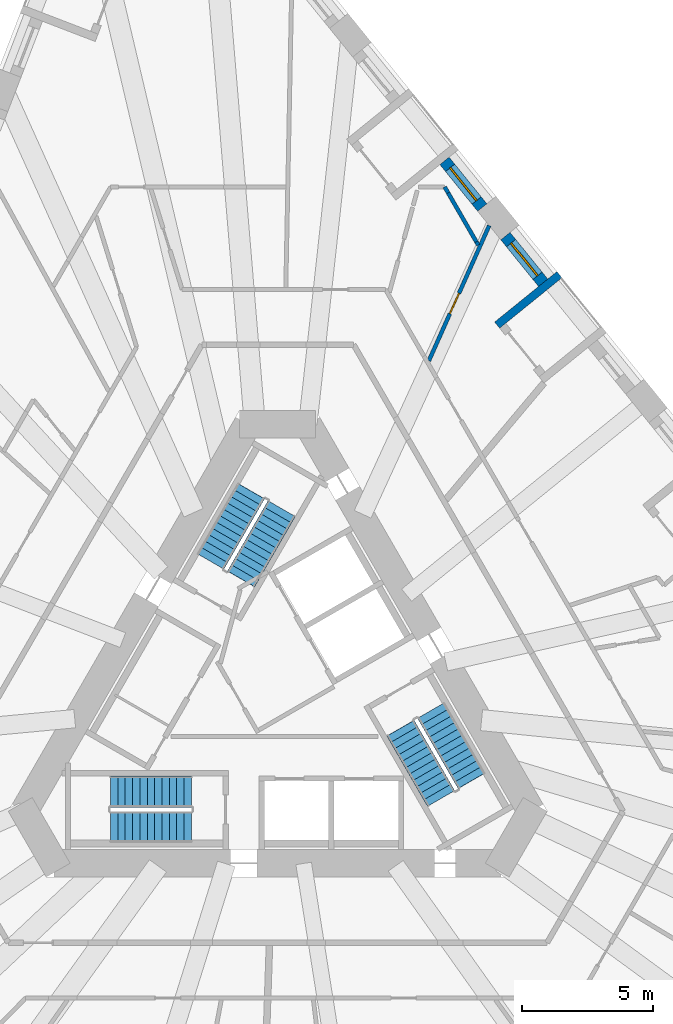
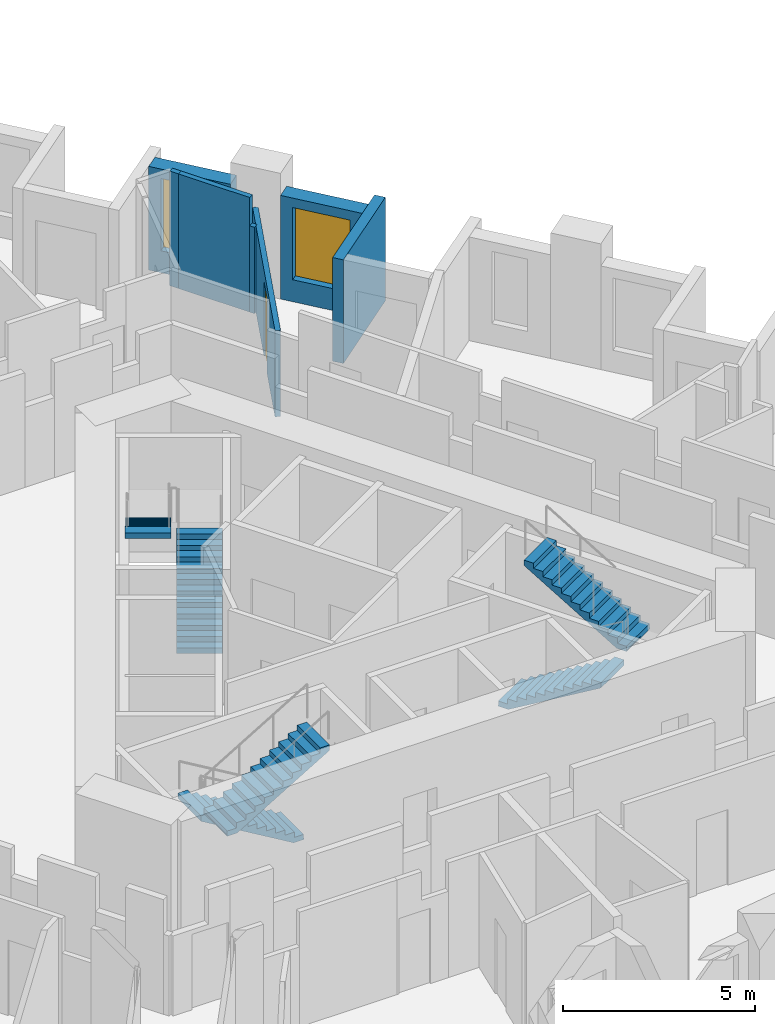
# One storey, part 10 of 14: 7 walls, 6 stair flights, 2 windows, 1 door, 3 openings, 3 elements without a shape of their own.
"""IFC4 building model written with IfcOpenShell, lengths in metres."""

from ifc_helpers import new_model, si_unit, direction, frame, frame_2d, origin, place, context, subcontext, project, spatial, polyline, rectangle, outline, extrude, material, layer, layer_set, type_object, element, fill, aggregate, save


model = new_model("IFC4")

# Units and contexts
model_context = context("Model", 3, precision=1e-05, world=origin(), true_north=direction((0.0, 1.0)))
body_context = subcontext(model_context, "Body", "Model", "MODEL_VIEW")
ifc_project = project(units=[si_unit("LENGTHUNIT", "METRE"), si_unit("AREAUNIT", "SQUARE_METRE"), si_unit("VOLUMEUNIT", "CUBIC_METRE"), si_unit("PLANEANGLEUNIT", "RADIAN"), si_unit("MASSUNIT", "GRAM", prefix="KILO")], contexts=[model_context])

# Site, building, storey
site_placement = place(None, origin())
site = spatial("IfcSite", under=ifc_project, at=site_placement, CompositionType="ELEMENT")
building_placement = place(site_placement, origin())
building = spatial("IfcBuilding", under=site, at=building_placement, Name="Tramontana Tower", CompositionType="ELEMENT")
storey_placement = place(building_placement, frame((0.0, 0.0, 67.199951171875)))
storey = spatial("IfcBuildingStorey", under=building, at=storey_placement, Name="L14", CompositionType="ELEMENT", Elevation=67.199951171875)

# Wall, opening, window
ifc_material_1 = material(Name="Precast concrete 60 MPa", Category="concrete")
ifc_layer_1 = layer(ifc_material_1, 0.449951171875)
ifc_layer_set_1 = layer_set([ifc_layer_1], Name="Precast concrete 60 MPa, 450 mm")
wall_type_1 = type_object("IfcWallType", Name="EW1 Stone-faced precast wall 450", PredefinedType="SOLIDWALL", material=ifc_layer_set_1)
wall_1_placement = place(storey_placement, frame((10.09814453125, 15.85400390625, 0.0), z_axis=(0.0, 0.0, 1.0), x_axis=(-0.629339730135, 0.777130300576, 0.0)))
wall_1 = element("IfcWall", 1, at=wall_1_placement, inside=storey, type_object=wall_type_1, Name="External wall L14 face 2 bay 4", PredefinedType="SOLIDWALL", context=body_context, shape_type="SweptSolid", body=[
    extrude(rectangle(XDim=2.282958984375, YDim=0.449951171875, at=frame_2d((1.1416015625, 0.0))), origin(), (0.0, 0.0, 1.0), 3.300048828125),
])
opening_1_placement = place(wall_1_placement, frame((0.341552734375, 0.0, 0.699951171875)))
opening_1 = element("IfcOpeningElement", 2, at=opening_1_placement, cuts=wall_1, Name="Opening M1", PredefinedType="OPENING", context=body_context, shape_type="SweptSolid", body=[
    extrude(rectangle(XDim=1.60009765625, YDim=2.300048828125, at=frame_2d((0.800048828125, 1.14990234375))), frame((0.0, 0.23486328125, 0.0), z_axis=(0.0, -1.0, 0.0), x_axis=(1.0, 0.0, 0.0)), (0.0, 0.0, 1.0), 0.469970703125),
])
ifc_material_2 = material(Name="Aluminum frame, double glazing unit", Category="aluminium")
window_type = type_object("IfcWindowType", Name="M1 Window 1.6 x 2.3", PartitioningType="SINGLE_PANEL", PredefinedType="WINDOW", material=ifc_material_2)
window_1_placement = place(opening_1_placement, origin())
window_1 = element("IfcWindow", 3, at=window_1_placement, inside=storey, type_object=window_type, Name="Window M1 L14 face 2 module 12", OverallHeight=2.300048828125, OverallWidth=1.60009765625, PartitioningType="SINGLE_PANEL", PredefinedType="WINDOW", context=body_context, shape_type="SweptSolid", body=[
    extrude(rectangle(XDim=1.60009765625, YDim=2.300048828125, at=frame_2d((0.800048828125, 1.14990234375))), frame((0.0, 0.030029296875, 0.0), z_axis=(0.0, -1.0, 0.0), x_axis=(1.0, 0.0, 0.0)), (0.0, 0.0, 1.0), 0.06005859375),
])
fill(opening_1, window_1)

wall_2_placement = place(storey_placement, frame((7.7802734375, 18.71630859375, 0.0), z_axis=(0.0, 0.0, 1.0), x_axis=(-0.629275139402, 0.777182603337, 0.0)))
wall_2 = element("IfcWall", 4, at=wall_2_placement, inside=storey, type_object=wall_type_1, Name="External wall L14 face 2 bay 5", PredefinedType="SOLIDWALL", context=body_context, shape_type="SweptSolid", body=[
    extrude(rectangle(XDim=2.28271484375, YDim=0.449951171875, at=frame_2d((1.141357421875, 0.0))), origin(), (0.0, 0.0, 1.0), 3.300048828125),
])
opening_2_placement = place(wall_2_placement, frame((0.341552734375, 0.0, 0.699951171875)))
opening_2 = element("IfcOpeningElement", 5, at=opening_2_placement, cuts=wall_2, Name="Opening M1", PredefinedType="OPENING", context=body_context, shape_type="SweptSolid", body=[
    extrude(rectangle(XDim=1.60009765625, YDim=2.300048828125, at=frame_2d((0.800048828125, 1.14990234375))), frame((0.0, 0.23486328125, 0.0), z_axis=(0.0, -1.0, 0.0), x_axis=(1.0, 0.0, 0.0)), (0.0, 0.0, 1.0), 0.469970703125),
])
window_2_placement = place(opening_2_placement, origin())
window_2 = element("IfcWindow", 6, at=window_2_placement, inside=storey, type_object=window_type, Name="Window M1 L14 face 2 module 13", OverallHeight=2.300048828125, OverallWidth=1.60009765625, PartitioningType="SINGLE_PANEL", PredefinedType="WINDOW", context=body_context, shape_type="SweptSolid", body=[
    extrude(rectangle(XDim=1.60009765625, YDim=2.300048828125, at=frame_2d((0.800048828125, 1.14990234375))), frame((0.0, 0.030029296875, 0.0), z_axis=(0.0, -1.0, 0.0), x_axis=(1.0, 0.0, 0.0)), (0.0, 0.0, 1.0), 0.06005859375),
])
fill(opening_2, window_2)

# Walls
ifc_material_3 = material(Name="Precast concrete 60 MPa", Category="concrete")
ifc_layer_2 = layer(ifc_material_3, 0.300048828125)
ifc_layer_set_2 = layer_set([ifc_layer_2], Name="LW1 Stone-faced loggia wall 300")
wall_type_2 = type_object("IfcWallType", Name="LW1 Stone-faced loggia wall 300", PredefinedType="SOLIDWALL", material=ifc_layer_set_2)
wall_3_placement = place(storey_placement, frame((10.717041015625, 16.162353515625, 0.0), z_axis=(0.0, 0.0, 1.0), x_axis=(-0.777121820661, -0.629350201281, 0.0)))
element("IfcWall", 7, at=wall_3_placement, inside=storey, type_object=wall_type_2, Name="Loggia return L14 G1S2.10b", PredefinedType="SOLIDWALL", context=body_context, shape_type="SweptSolid", body=[
    extrude(rectangle(XDim=3.0498046875, YDim=0.300048828125, at=frame_2d((1.52490234375, 0.0))), origin(), (0.0, 0.0, 1.0), 3.300048828125),
])
ifc_material_4 = material(Name="Gypsum board partition")
ifc_layer_3 = layer(ifc_material_4, 0.14990234375)
ifc_layer_set_3 = layer_set([ifc_layer_3], Name="PARTITION 150")
wall_type_3 = type_object("IfcWallType", Name="PARTITION 150", PredefinedType="PARTITIONING", material=ifc_layer_set_3)
wall_4_placement = place(storey_placement, frame((6.48388671875, 19.26953125, 0.0), z_axis=(0.0, 0.0, 1.0), x_axis=(0.50000823972, -0.866020646528, 0.0)))
element("IfcWall", 8, at=wall_4_placement, inside=storey, type_object=wall_type_3, Name="Wall v11-pw39-0", PredefinedType="PARTITIONING", context=body_context, shape_type="SweptSolid", body=[
    extrude(rectangle(XDim=2.14453125, YDim=0.14990234375, at=frame_2d((1.072265625, 0.0))), origin(), (0.0, 0.0, 1.0), 3.650146484375),
])
wall_5_placement = place(storey_placement, frame((7.55615234375, 17.412353515625, 0.0), z_axis=(0.0, 0.0, 1.0), x_axis=(0.500195626709, -0.865912429188, 0.0)))
element("IfcWall", 9, at=wall_5_placement, inside=storey, type_object=wall_type_3, Name="Wall v11-pw39-1", PredefinedType="PARTITIONING", context=body_context, shape_type="SweptSolid", body=[
    extrude(rectangle(XDim=0.14892578125, YDim=0.14990234375, at=frame_2d((0.074462890625, 0.0))), origin(), (0.0, 0.0, 1.0), 2.75),
])

# Wall, opening, door
wall_6_placement = place(storey_placement, frame((5.751220703125, 12.888427734375, 0.0), z_axis=(0.0, 0.0, 1.0), x_axis=(0.407537867325, 0.913188308454, 0.0)))
wall_6 = element("IfcWall", 10, at=wall_6_placement, inside=storey, type_object=wall_type_3, Name="Wall v11-pw40-0", PredefinedType="PARTITIONING", context=body_context, shape_type="SweptSolid", body=[
    extrude(rectangle(XDim=5.631103515625, YDim=0.14990234375, at=frame_2d((2.8154296875, 0.0))), origin(), (0.0, 0.0, 1.0), 2.75),
])
opening_3_placement = place(wall_6_placement, frame((1.958740234375, 0.0, 0.0)))
opening_3 = element("IfcOpeningElement", 11, at=opening_3_placement, cuts=wall_6, Name="Opening B1B-10", PredefinedType="OPENING", context=body_context, shape_type="SweptSolid", body=[
    extrude(rectangle(XDim=0.85009765625, YDim=2.39990234375, at=frame_2d((0.425048828125, 1.199951171875))), frame((0.0, 0.0849609375, 0.0), z_axis=(0.0, -1.0, 0.0), x_axis=(1.0, 0.0, 0.0)), (0.0, 0.0, 1.0), 0.169921875),
])
ifc_material_5 = material(Name="Painted timber", Category="wood")
door_type = type_object("IfcDoorType", Name="DOOR BATH 850", OperationType="SINGLE_SWING_LEFT", PredefinedType="DOOR", material=ifc_material_5)
door_placement = place(opening_3_placement, origin())
door = element("IfcDoor", 12, at=door_placement, inside=storey, type_object=door_type, Name="Door B1B-10", OperationType="SINGLE_SWING_RIGHT", OverallHeight=2.39990234375, OverallWidth=0.85009765625, PredefinedType="DOOR", context=body_context, shape_type="SweptSolid", body=[
    extrude(rectangle(XDim=0.85009765625, YDim=2.39990234375, at=frame_2d((0.425048828125, 1.199951171875))), frame((0.0, 0.02490234375, 0.0), z_axis=(0.0, -1.0, 0.0), x_axis=(1.0, 0.0, 0.0)), (0.0, 0.0, 1.0), 0.050048828125),
])
fill(opening_3, door)

# Wall
wall_7_placement = place(storey_placement, frame((6.350830078125, 19.5, 0.0), z_axis=(0.0, 0.0, 1.0), x_axis=(0.499987164874, -0.866032814021, 0.0)))
element("IfcWall", 13, at=wall_7_placement, inside=storey, type_object=wall_type_3, Name="Wall v11-pwc00", PredefinedType="PARTITIONING", context=body_context, shape_type="SweptSolid", body=[
    extrude(rectangle(XDim=0.26611328125, YDim=0.14990234375, at=frame_2d((0.133056640625, 0.0))), origin(), (0.0, 0.0, 1.0), 3.650146484375),
])

# Stair, stair flights
ifc_material_6 = material(Name="Concrete 40 MPa", Category="concrete")
stair_type = type_object("IfcStairType", Name="EXIT STAIR 24 RISERS", PredefinedType="HALF_TURN_STAIR", material=ifc_material_6)
stair_1_placement = place(storey_placement, origin())
stair_1 = element("IfcStair", 14, at=stair_1_placement, inside=storey, type_object=stair_type, Name="L14 Exit stair ST1", PredefinedType="HALF_TURN_STAIR")
ifc_material_7 = material(Name="Concrete 40 MPa", Category="concrete")
ifc_layer_4 = layer(ifc_material_7, 0.14990234375)
ifc_layer_set_4 = layer_set([ifc_layer_4], Name="EXIT STAIR FLIGHT")
stair_flight_type = type_object("IfcStairFlightType", Name="EXIT STAIR FLIGHT", PredefinedType="STRAIGHT", material=ifc_layer_set_4)
stair_flight_1_placement = place(storey_placement, frame((-1.39111328125, 4.590576171875, 0.0), z_axis=(0.0, 0.0, 1.0), x_axis=(0.5, 0.866025403784, 0.0)))
stair_flight_1 = element("IfcStairFlight", 15, at=stair_flight_1_placement, type_object=stair_flight_type, Name="ST1 flight 1", NumberOfRisers=12, NumberOfTreads=11, PredefinedType="STRAIGHT", RiserHeight=0.166666667, TreadLength=0.28, context=body_context, shape_type="SweptSolid", body=[
    extrude(outline(polyline([(-0.006103515625, 0.0), (-0.006103515625, 0.0400390625), (0.0, 0.0400390625), (0.0, 0.166748046875), (0.280029296875, 0.166748046875), (0.280029296875, 0.333251953125), (0.56005859375, 0.333251953125), (0.56005859375, 0.5), (0.840087890625, 0.5), (0.840087890625, 0.666748046875), (1.1201171875, 0.666748046875), (1.1201171875, 0.833251953125), (1.39990234375, 0.833251953125), (1.39990234375, 1.0), (1.679931640625, 1.0), (1.679931640625, 1.166748046875), (1.9599609375, 1.166748046875), (1.9599609375, 1.333251953125), (2.239990234375, 1.333251953125), (2.239990234375, 1.5), (2.52001953125, 1.5), (2.52001953125, 1.666748046875), (2.800048828125, 1.666748046875), (2.800048828125, 1.833251953125), (3.080078125, 1.833251953125), (3.0859375, 1.833251953125), (3.0859375, 1.658935546875), (0.299072265625, 0.0), (-0.006103515625, 0.0)])), frame((0.0, 0.60009765625, 0.0), z_axis=(0.0, -1.0, 0.0), x_axis=(1.0, 0.0, 0.0)), (0.0, 0.0, 1.0), 1.199951171875),
])
stair_flight_2_placement = place(storey_placement, frame((-1.020263671875, 7.932861328125, 2.0), z_axis=(0.0, 0.0, 1.0), x_axis=(-0.5, -0.866025403784, 0.0)))
stair_flight_2 = element("IfcStairFlight", 16, at=stair_flight_2_placement, type_object=stair_flight_type, Name="ST1 flight 2", NumberOfRisers=12, NumberOfTreads=11, PredefinedType="STRAIGHT", RiserHeight=0.166666667, TreadLength=0.28, context=body_context, shape_type="SweptSolid", body=[
    extrude(outline(polyline([(-0.006103515625, 0.0), (-0.006103515625, 0.0400390625), (0.0, 0.0400390625), (0.0, 0.166748046875), (0.280029296875, 0.166748046875), (0.280029296875, 0.333251953125), (0.56005859375, 0.333251953125), (0.56005859375, 0.5), (0.840087890625, 0.5), (0.840087890625, 0.666748046875), (1.1201171875, 0.666748046875), (1.1201171875, 0.833251953125), (1.39990234375, 0.833251953125), (1.39990234375, 1.0), (1.679931640625, 1.0), (1.679931640625, 1.166748046875), (1.9599609375, 1.166748046875), (1.9599609375, 1.333251953125), (2.239990234375, 1.333251953125), (2.239990234375, 1.5), (2.52001953125, 1.5), (2.52001953125, 1.666748046875), (2.800048828125, 1.666748046875), (2.800048828125, 1.833251953125), (3.080078125, 1.833251953125), (3.0859375, 1.833251953125), (3.0859375, 1.658935546875), (0.299072265625, 0.0), (-0.006103515625, 0.0)])), frame((0.0, 0.60009765625, 0.0), z_axis=(0.0, -1.0, 0.0), x_axis=(1.0, 0.0, 0.0)), (0.0, 0.0, 1.0), 1.199951171875),
])
aggregate(stair_1, [stair_flight_1, stair_flight_2])

stair_2_placement = place(storey_placement, origin())
stair_2 = element("IfcStair", 17, at=stair_2_placement, inside=storey, type_object=stair_type, Name="L14 Exit stair ST2", PredefinedType="HALF_TURN_STAIR")
stair_flight_3_placement = place(storey_placement, frame((-3.280029296875, -3.5, 0.0), z_axis=(0.0, 0.0, 1.0), x_axis=(-1.0, 0.0, 0.0)))
stair_flight_3 = element("IfcStairFlight", 18, at=stair_flight_3_placement, type_object=stair_flight_type, Name="ST2 flight 1", NumberOfRisers=12, NumberOfTreads=11, PredefinedType="STRAIGHT", RiserHeight=0.166666667, TreadLength=0.28, context=body_context, shape_type="SweptSolid", body=[
    extrude(outline(polyline([(-0.006103515625, 0.0), (-0.006103515625, 0.0400390625), (0.0, 0.0400390625), (0.0, 0.166748046875), (0.280029296875, 0.166748046875), (0.280029296875, 0.333251953125), (0.56005859375, 0.333251953125), (0.56005859375, 0.5), (0.840087890625, 0.5), (0.840087890625, 0.666748046875), (1.1201171875, 0.666748046875), (1.1201171875, 0.833251953125), (1.39990234375, 0.833251953125), (1.39990234375, 1.0), (1.679931640625, 1.0), (1.679931640625, 1.166748046875), (1.9599609375, 1.166748046875), (1.9599609375, 1.333251953125), (2.239990234375, 1.333251953125), (2.239990234375, 1.5), (2.52001953125, 1.5), (2.52001953125, 1.666748046875), (2.800048828125, 1.666748046875), (2.800048828125, 1.833251953125), (3.080078125, 1.833251953125), (3.0859375, 1.833251953125), (3.0859375, 1.658935546875), (0.299072265625, 0.0), (-0.006103515625, 0.0)])), frame((0.0, 0.60009765625, 0.0), z_axis=(0.0, -1.0, 0.0), x_axis=(1.0, 0.0, 0.0)), (0.0, 0.0, 1.0), 1.199951171875),
])
stair_flight_4_placement = place(storey_placement, frame((-6.360107421875, -4.85009765625, 2.0), z_axis=(0.0, 0.0, 1.0), x_axis=(1.0, 0.0, 0.0)))
stair_flight_4 = element("IfcStairFlight", 19, at=stair_flight_4_placement, type_object=stair_flight_type, Name="ST2 flight 2", NumberOfRisers=12, NumberOfTreads=11, PredefinedType="STRAIGHT", RiserHeight=0.166666667, TreadLength=0.28, context=body_context, shape_type="SweptSolid", body=[
    extrude(outline(polyline([(-0.006103515625, 0.0), (-0.006103515625, 0.0400390625), (0.0, 0.0400390625), (0.0, 0.166748046875), (0.280029296875, 0.166748046875), (0.280029296875, 0.333251953125), (0.56005859375, 0.333251953125), (0.56005859375, 0.5), (0.840087890625, 0.5), (0.840087890625, 0.666748046875), (1.1201171875, 0.666748046875), (1.1201171875, 0.833251953125), (1.39990234375, 0.833251953125), (1.39990234375, 1.0), (1.679931640625, 1.0), (1.679931640625, 1.166748046875), (1.9599609375, 1.166748046875), (1.9599609375, 1.333251953125), (2.239990234375, 1.333251953125), (2.239990234375, 1.5), (2.52001953125, 1.5), (2.52001953125, 1.666748046875), (2.800048828125, 1.666748046875), (2.800048828125, 1.833251953125), (3.080078125, 1.833251953125), (3.0859375, 1.833251953125), (3.0859375, 1.658935546875), (0.299072265625, 0.0), (-0.006103515625, 0.0)])), frame((0.0, 0.60009765625, 0.0), z_axis=(0.0, -1.0, 0.0), x_axis=(1.0, 0.0, 0.0)), (0.0, 0.0, 1.0), 1.199951171875),
])
aggregate(stair_2, [stair_flight_3, stair_flight_4])

stair_3_placement = place(storey_placement, origin())
stair_3 = element("IfcStair", 20, at=stair_3_placement, inside=storey, type_object=stair_type, Name="L14 Exit stair ST3", PredefinedType="HALF_TURN_STAIR")
stair_flight_5_placement = place(storey_placement, frame((4.671142578125, -1.090576171875, 0.0), z_axis=(0.0, 0.0, 1.0), x_axis=(0.5, -0.866025403784, 0.0)))
stair_flight_5 = element("IfcStairFlight", 21, at=stair_flight_5_placement, type_object=stair_flight_type, Name="ST3 flight 1", NumberOfRisers=12, NumberOfTreads=11, PredefinedType="STRAIGHT", RiserHeight=0.166666667, TreadLength=0.28, context=body_context, shape_type="SweptSolid", body=[
    extrude(outline(polyline([(-0.006103515625, 0.0), (-0.006103515625, 0.0400390625), (0.0, 0.0400390625), (0.0, 0.166748046875), (0.280029296875, 0.166748046875), (0.280029296875, 0.333251953125), (0.56005859375, 0.333251953125), (0.56005859375, 0.5), (0.840087890625, 0.5), (0.840087890625, 0.666748046875), (1.1201171875, 0.666748046875), (1.1201171875, 0.833251953125), (1.39990234375, 0.833251953125), (1.39990234375, 1.0), (1.679931640625, 1.0), (1.679931640625, 1.166748046875), (1.9599609375, 1.166748046875), (1.9599609375, 1.333251953125), (2.239990234375, 1.333251953125), (2.239990234375, 1.5), (2.52001953125, 1.5), (2.52001953125, 1.666748046875), (2.800048828125, 1.666748046875), (2.800048828125, 1.833251953125), (3.080078125, 1.833251953125), (3.0859375, 1.833251953125), (3.0859375, 1.658935546875), (0.299072265625, 0.0), (-0.006103515625, 0.0)])), frame((0.0, 0.60009765625, 0.0), z_axis=(0.0, -1.0, 0.0), x_axis=(1.0, 0.0, 0.0)), (0.0, 0.0, 1.0), 1.199951171875),
])
stair_flight_6_placement = place(storey_placement, frame((7.380126953125, -3.0830078125, 2.0), z_axis=(0.0, 0.0, 1.0), x_axis=(-0.5, 0.866025403784, 0.0)))
stair_flight_6 = element("IfcStairFlight", 22, at=stair_flight_6_placement, type_object=stair_flight_type, Name="ST3 flight 2", NumberOfRisers=12, NumberOfTreads=11, PredefinedType="STRAIGHT", RiserHeight=0.166666667, TreadLength=0.28, context=body_context, shape_type="SweptSolid", body=[
    extrude(outline(polyline([(-0.006103515625, 0.0), (-0.006103515625, 0.0400390625), (0.0, 0.0400390625), (0.0, 0.166748046875), (0.280029296875, 0.166748046875), (0.280029296875, 0.333251953125), (0.56005859375, 0.333251953125), (0.56005859375, 0.5), (0.840087890625, 0.5), (0.840087890625, 0.666748046875), (1.1201171875, 0.666748046875), (1.1201171875, 0.833251953125), (1.39990234375, 0.833251953125), (1.39990234375, 1.0), (1.679931640625, 1.0), (1.679931640625, 1.166748046875), (1.9599609375, 1.166748046875), (1.9599609375, 1.333251953125), (2.239990234375, 1.333251953125), (2.239990234375, 1.5), (2.52001953125, 1.5), (2.52001953125, 1.666748046875), (2.800048828125, 1.666748046875), (2.800048828125, 1.833251953125), (3.080078125, 1.833251953125), (3.0859375, 1.833251953125), (3.0859375, 1.658935546875), (0.299072265625, 0.0), (-0.006103515625, 0.0)])), frame((0.0, 0.60009765625, 0.0), z_axis=(0.0, -1.0, 0.0), x_axis=(1.0, 0.0, 0.0)), (0.0, 0.0, 1.0), 1.199951171875),
])
aggregate(stair_3, [stair_flight_5, stair_flight_6])

save(model, "model.ifc")
